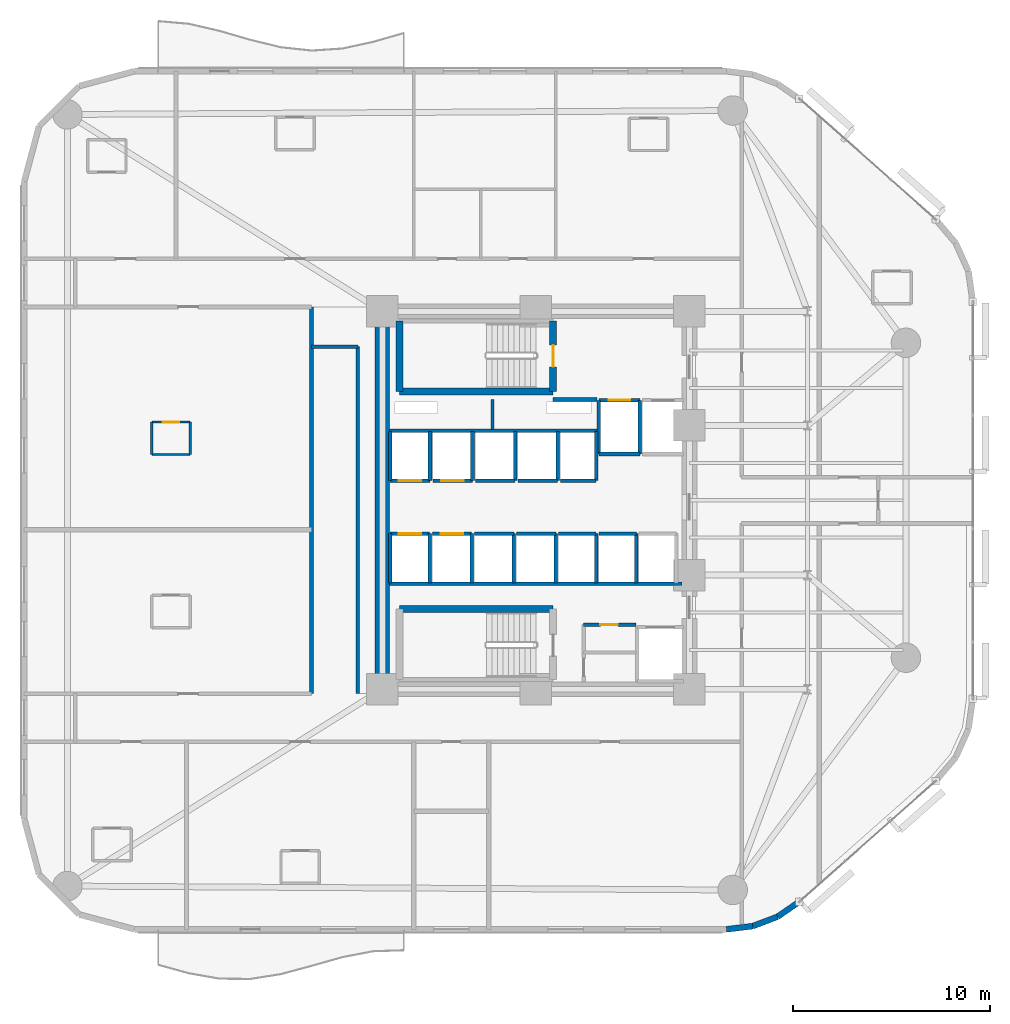
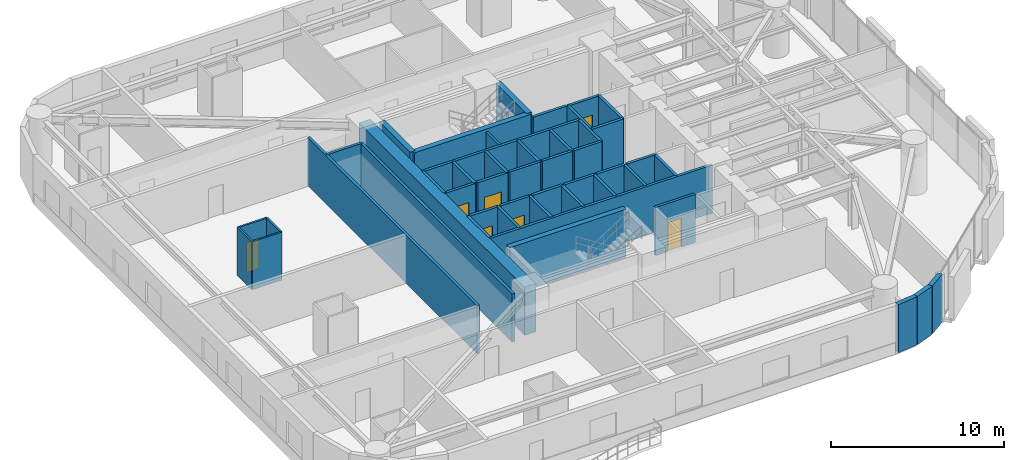
# One storey, part 11 of 17: 48 walls, 8 doors, 8 openings.
"""IFC4 building model written with IfcOpenShell, lengths in metres."""

from ifc_helpers import new_model, si_unit, direction, frame, frame_2d, origin, place, context, subcontext, project, spatial, rectangle, extrude, material, layer, layer_set, type_object, element, fill, save


model = new_model("IFC4")

# Units and contexts
model_context = context("Model", 3, precision=1e-05, world=origin(), true_north=direction((0.0, 1.0)))
body_context = subcontext(model_context, "Body", "Model", "MODEL_VIEW")
ifc_project = project(units=[si_unit("LENGTHUNIT", "METRE"), si_unit("AREAUNIT", "SQUARE_METRE"), si_unit("VOLUMEUNIT", "CUBIC_METRE"), si_unit("PLANEANGLEUNIT", "RADIAN"), si_unit("MASSUNIT", "GRAM", prefix="KILO")], contexts=[model_context])

# Site, building, storey
site_placement = place(None, origin())
site = spatial("IfcSite", under=ifc_project, at=site_placement, CompositionType="ELEMENT")
building_placement = place(site_placement, origin())
building = spatial("IfcBuilding", under=site, at=building_placement, Name="An Khanh Terracotta Commons", CompositionType="ELEMENT")
storey_placement = place(building_placement, frame((0.0, 0.0, 32.39990234375)))
storey = spatial("IfcBuildingStorey", under=building, at=storey_placement, Name="L08", CompositionType="ELEMENT", Elevation=32.39990234375)

# Walls
ifc_material_1 = material(Name="Concrete C70/85", Category="concrete")
ifc_layer_1 = layer(ifc_material_1, 0.75, Name="Concrete C70/85")
ifc_layer_set_1 = layer_set([ifc_layer_1], Name="Concrete C70/85")
wall_type_1 = type_object("IfcWallType", Name="WALL-CORE-750", PredefinedType="SHEAR", material=ifc_layer_set_1)
wall_1_placement = place(storey_placement, frame((21.60009765625, 14.39990234375, 0.0), z_axis=(0.0, 0.0, 1.0), x_axis=(0.0, 1.0, 0.0)))
element("IfcWall", 1, at=wall_1_placement, inside=storey, type_object=wall_type_1, Name="L08 Core Wall CWALL-L08-W", PredefinedType="SHEAR", context=body_context, shape_type="SweptSolid", body=[
    extrude(rectangle(XDim=19.2001953125, YDim=0.75, at=frame_2d((9.60009765625, 0.0))), origin(), (0.0, 0.0, 1.0), 3.400146484375),
])
ifc_material_2 = material(Name="Fire-Rated Gypsum Board on Steel Stud", Category="steel")
ifc_layer_2 = layer(ifc_material_2, 0.179931640625, Name="Fire-Rated Gypsum Board on Steel Stud")
ifc_layer_set_2 = layer_set([ifc_layer_2], Name="Fire-Rated Gypsum Board on Steel Stud")
wall_type_2 = type_object("IfcWallType", Name="WALL-CORR-180", PredefinedType="PARTITIONING", material=ifc_layer_set_2)
wall_2_placement = place(storey_placement, frame((30.27001953125, 29.1201171875, 0.0), z_axis=(0.0, 0.0, 1.0), x_axis=(1.0, 0.0, 0.0)))
element("IfcWall", 2, at=wall_2_placement, inside=storey, type_object=wall_type_2, Name="L08 Core Wall FFLW-L08-S", PredefinedType="PARTITIONING", context=body_context, shape_type="SweptSolid", body=[
    extrude(rectangle(XDim=2.239990234375, YDim=0.179931640625, at=frame_2d((1.1201171875, 0.0))), origin(), (0.0, 0.0, 1.0), 3.400146484375),
])
wall_3_placement = place(storey_placement, frame((21.949951171875, 27.5400390625, 0.0), z_axis=(0.0, 0.0, 1.0), x_axis=(1.0, 0.0, 0.0)))
element("IfcWall", 3, at=wall_3_placement, inside=storey, type_object=wall_type_2, Name="L08 Core Wall RSRW-L08-S", PredefinedType="PARTITIONING", context=body_context, shape_type="SweptSolid", body=[
    extrude(rectangle(XDim=10.56005859375, YDim=0.179931640625, at=frame_2d((5.280029296875, 0.0))), origin(), (0.0, 0.0, 1.0), 3.400146484375),
])
wall_4_placement = place(storey_placement, frame((21.949951171875, 19.760009765625, 0.0), z_axis=(0.0, 0.0, 1.0), x_axis=(1.0, 0.0, 0.0)))
element("IfcWall", 4, at=wall_4_placement, inside=storey, type_object=wall_type_2, Name="L08 Core Wall SVW-L08-N", PredefinedType="PARTITIONING", context=body_context, shape_type="SweptSolid", body=[
    extrude(rectangle(XDim=14.8701171875, YDim=0.179931640625, at=frame_2d((7.43505859375, 0.0))), origin(), (0.0, 0.0, 1.0), 3.400146484375),
])

# Wall, opening, door
wall_5_placement = place(storey_placement, frame((31.820068359375, 17.679931640625, 0.0), z_axis=(0.0, 0.0, 1.0), x_axis=(1.0, 0.0, 0.0)))
wall_5 = element("IfcWall", 5, at=wall_5_placement, inside=storey, type_object=wall_type_2, Name="L08 Core Wall SSVCW-L08-N", PredefinedType="PARTITIONING", context=body_context, shape_type="SweptSolid", body=[
    extrude(rectangle(XDim=2.659912109375, YDim=0.179931640625, at=frame_2d((1.330078125, 0.0))), origin(), (0.0, 0.0, 1.0), 3.400146484375),
])
opening_1_placement = place(wall_5_placement, frame((0.85009765625, 0.0, 0.0)))
opening_1 = element("IfcOpeningElement", 6, at=opening_1_placement, cuts=wall_5, Name="Opening D-SV", PredefinedType="OPENING", context=body_context, shape_type="SweptSolid", body=[
    extrude(rectangle(XDim=0.89990234375, YDim=2.050048828125, at=frame_2d((0.449951171875, 1.02490234375))), frame((0.0, 0.099853515625, 0.0), z_axis=(0.0, -1.0, 0.0), x_axis=(1.0, 0.0, 0.0)), (0.0, 0.0, 1.0), 0.199951171875),
])
ifc_material_3 = material(Name="Fire-Rated Powder-Coated Steel Door", Category="steel")
door_type_1 = type_object("IfcDoorType", Name="DOOR-SERV-900", OperationType="NOTDEFINED", PredefinedType="DOOR", material=ifc_material_3)
door_1_placement = place(opening_1_placement, origin())
door_1 = element("IfcDoor", 7, at=door_1_placement, inside=storey, type_object=door_type_1, Name="L08 Core Cleaner Store Door", OperationType="SINGLE_SWING_LEFT", OverallHeight=2.050048828125, OverallWidth=0.89990234375, PredefinedType="DOOR", context=body_context, shape_type="SweptSolid", body=[
    extrude(rectangle(XDim=0.89990234375, YDim=2.050048828125, at=frame_2d((0.449951171875, 1.02490234375))), frame((0.0, 0.02490234375, 0.0), z_axis=(0.0, -1.0, 0.0), x_axis=(1.0, 0.0, 0.0)), (0.0, 0.0, 1.0), 0.050048828125),
])
fill(opening_1, door_1)

wall_6_placement = place(storey_placement, frame((32.60009765625, 29.080078125, 0.0), z_axis=(0.0, 0.0, 1.0), x_axis=(1.0, 0.0, 0.0)))
wall_6 = element("IfcWall", 8, at=wall_6_placement, inside=storey, type_object=wall_type_2, Name="L08 Core Wall LSH-L08-FFL-01-N", PredefinedType="PARTITIONING", context=body_context, shape_type="SweptSolid", body=[
    extrude(rectangle(XDim=2.079833984375, YDim=0.179931640625, at=frame_2d((1.0400390625, 0.0))), origin(), (0.0, 0.0, 1.0), 3.400146484375),
])
opening_2_placement = place(wall_6_placement, frame((0.489990234375, 0.0, 0.0)))
opening_2 = element("IfcOpeningElement", 9, at=opening_2_placement, cuts=wall_6, Name="Opening LD-FFL-01-L08", PredefinedType="OPENING", context=body_context, shape_type="SweptSolid", body=[
    extrude(rectangle(XDim=1.10009765625, YDim=2.199951171875, at=frame_2d((0.550048828125, 1.10009765625))), frame((0.0, 0.099853515625, 0.0), z_axis=(0.0, -1.0, 0.0), x_axis=(1.0, 0.0, 0.0)), (0.0, 0.0, 1.0), 0.199951171875),
])
ifc_material_4 = material(Name="Brushed Stainless Steel Fire Landing Door", Category="steel")
door_type_2 = type_object("IfcDoorType", Name="DOOR-LD-FFL-1100", OperationType="NOTDEFINED", PredefinedType="DOOR", material=ifc_material_4)
door_2_placement = place(opening_2_placement, origin())
door_2 = element("IfcDoor", 10, at=door_2_placement, inside=storey, type_object=door_type_2, Name="L08 Lift FFL-01 Sliding Landing Door", OperationType="DOUBLE_DOOR_SLIDING", OverallHeight=2.199951171875, OverallWidth=1.10009765625, PredefinedType="DOOR", context=body_context, shape_type="SweptSolid", body=[
    extrude(rectangle(XDim=1.10009765625, YDim=2.199951171875, at=frame_2d((0.550048828125, 1.10009765625))), frame((0.0, 0.02490234375, 0.0), z_axis=(0.0, -1.0, 0.0), x_axis=(1.0, 0.0, 0.0)), (0.0, 0.0, 1.0), 0.050048828125),
])
fill(opening_2, door_2)

# Walls
wall_7_placement = place(storey_placement, frame((34.679931640625, 26.35009765625, 0.0), z_axis=(0.0, 0.0, 1.0), x_axis=(-1.0, 0.0, 0.0)))
element("IfcWall", 11, at=wall_7_placement, inside=storey, type_object=wall_type_2, Name="L08 Core Wall LSH-L08-FFL-01-S", PredefinedType="PARTITIONING", context=body_context, shape_type="SweptSolid", body=[
    extrude(rectangle(XDim=2.079833984375, YDim=0.179931640625, at=frame_2d((1.0400390625, 0.0))), origin(), (0.0, 0.0, 1.0), 3.400146484375),
])
for number, where, z_axis, x_axis, name in (
    (12, (34.679931640625, 26.35009765625, 0.0), (0.0, 0.0, 1.0), (0.0, 1.0, 0.0), "L08 Core Wall LSH-L08-FFL-01-E"),
    (13, (32.60009765625, 29.080078125, 0.0), (0.0, 0.0, 1.0), (0.0, -1.0, 0.0), "L08 Core Wall LSH-L08-FFL-01-W"),
):
    element("IfcWall", number, at=place(storey_placement, frame(where, z_axis=z_axis, x_axis=x_axis)), inside=storey, type_object=wall_type_2, Name=name, PredefinedType="PARTITIONING", context=body_context, shape_type="SweptSolid", body=[
        extrude(rectangle(XDim=2.72998046875, YDim=0.179931640625, at=frame_2d((1.364990234375, 0.0))), origin(), (0.0, 0.0, 1.0), 3.400146484375),
    ])

# Wall, opening, door
wall_8_placement = place(storey_placement, frame((24.02001953125, 25.0, 0.0), z_axis=(0.0, 0.0, 1.0), x_axis=(-1.0, 0.0, 0.0)))
wall_8 = element("IfcWall", 14, at=wall_8_placement, inside=storey, type_object=wall_type_2, Name="L08 Core Wall LSH-L08-PL-L1-S", PredefinedType="PARTITIONING", context=body_context, shape_type="SweptSolid", body=[
    extrude(rectangle(XDim=2.02001953125, YDim=0.179931640625, at=frame_2d((1.010009765625, 0.0))), origin(), (0.0, 0.0, 1.0), 3.400146484375),
])
opening_3_placement = place(wall_8_placement, frame((0.43505859375, 0.0, 0.0)))
opening_3 = element("IfcOpeningElement", 15, at=opening_3_placement, cuts=wall_8, Name="Opening LD-PL-L1-L08", PredefinedType="OPENING", context=body_context, shape_type="SweptSolid", body=[
    extrude(rectangle(XDim=1.14990234375, YDim=2.199951171875, at=frame_2d((0.574951171875, 1.10009765625))), frame((0.0, 0.099853515625, 0.0), z_axis=(0.0, -1.0, 0.0), x_axis=(1.0, 0.0, 0.0)), (0.0, 0.0, 1.0), 0.199951171875),
])
ifc_material_5 = material(Name="Brushed Stainless Steel Passenger Landing Door", Category="steel")
door_type_3 = type_object("IfcDoorType", Name="DOOR-LD-PAX-1150", OperationType="NOTDEFINED", PredefinedType="DOOR", material=ifc_material_5)
door_3_placement = place(opening_3_placement, origin())
door_3 = element("IfcDoor", 16, at=door_3_placement, inside=storey, type_object=door_type_3, Name="L08 Lift PL-L1 Sliding Landing Door", OperationType="DOUBLE_DOOR_SLIDING", OverallHeight=2.199951171875, OverallWidth=1.14990234375, PredefinedType="DOOR", context=body_context, shape_type="SweptSolid", body=[
    extrude(rectangle(XDim=1.14990234375, YDim=2.199951171875, at=frame_2d((0.574951171875, 1.10009765625))), frame((0.0, 0.02490234375, 0.0), z_axis=(0.0, -1.0, 0.0), x_axis=(1.0, 0.0, 0.0)), (0.0, 0.0, 1.0), 0.050048828125),
])
fill(opening_3, door_3)

# Walls
for number, where, z_axis, x_axis, name in (
    (17, (24.02001953125, 25.0, 0.0), (0.0, 0.0, 1.0), (0.0, 1.0, 0.0), "L08 Core Wall LSH-L08-PL-L1-E"),
    (18, (22.0, 27.5, 0.0), (0.0, 0.0, 1.0), (0.0, -1.0, 0.0), "L08 Core Wall LSH-L08-PL-L1-W"),
):
    element("IfcWall", number, at=place(storey_placement, frame(where, z_axis=z_axis, x_axis=x_axis)), inside=storey, type_object=wall_type_2, Name=name, PredefinedType="PARTITIONING", context=body_context, shape_type="SweptSolid", body=[
        extrude(rectangle(XDim=2.5, YDim=0.179931640625, at=frame_2d((1.25, 0.0))), origin(), (0.0, 0.0, 1.0), 3.400146484375),
    ])

# Wall, opening, door
wall_9_placement = place(storey_placement, frame((26.179931640625, 25.0, 0.0), z_axis=(0.0, 0.0, 1.0), x_axis=(-1.0, 0.0, 0.0)))
wall_9 = element("IfcWall", 19, at=wall_9_placement, inside=storey, type_object=wall_type_2, Name="L08 Core Wall LSH-L08-PL-L2-S", PredefinedType="PARTITIONING", context=body_context, shape_type="SweptSolid", body=[
    extrude(rectangle(XDim=2.02001953125, YDim=0.179931640625, at=frame_2d((1.010009765625, 0.0))), origin(), (0.0, 0.0, 1.0), 3.400146484375),
])
opening_4_placement = place(wall_9_placement, frame((0.43505859375, 0.0, 0.0)))
opening_4 = element("IfcOpeningElement", 20, at=opening_4_placement, cuts=wall_9, Name="Opening LD-PL-L2-L08", PredefinedType="OPENING", context=body_context, shape_type="SweptSolid", body=[
    extrude(rectangle(XDim=1.14990234375, YDim=2.199951171875, at=frame_2d((0.574951171875, 1.10009765625))), frame((0.0, 0.099853515625, 0.0), z_axis=(0.0, -1.0, 0.0), x_axis=(1.0, 0.0, 0.0)), (0.0, 0.0, 1.0), 0.199951171875),
])
door_4_placement = place(opening_4_placement, origin())
door_4 = element("IfcDoor", 21, at=door_4_placement, inside=storey, type_object=door_type_3, Name="L08 Lift PL-L2 Sliding Landing Door", OperationType="DOUBLE_DOOR_SLIDING", OverallHeight=2.199951171875, OverallWidth=1.14990234375, PredefinedType="DOOR", context=body_context, shape_type="SweptSolid", body=[
    extrude(rectangle(XDim=1.14990234375, YDim=2.199951171875, at=frame_2d((0.574951171875, 1.10009765625))), frame((0.0, 0.02490234375, 0.0), z_axis=(0.0, -1.0, 0.0), x_axis=(1.0, 0.0, 0.0)), (0.0, 0.0, 1.0), 0.050048828125),
])
fill(opening_4, door_4)

# Wall
wall_10_placement = place(storey_placement, frame((26.179931640625, 25.0, 0.0), z_axis=(0.0, 0.0, 1.0), x_axis=(0.0, 1.0, 0.0)))
element("IfcWall", 22, at=wall_10_placement, inside=storey, type_object=wall_type_2, Name="L08 Core Wall LSH-L08-PL-L2-E", PredefinedType="PARTITIONING", context=body_context, shape_type="SweptSolid", body=[
    extrude(rectangle(XDim=2.5, YDim=0.179931640625, at=frame_2d((1.25, 0.0))), origin(), (0.0, 0.0, 1.0), 3.400146484375),
])

# Wall, opening, door
wall_11_placement = place(storey_placement, frame((22.0, 22.300048828125, 0.0), z_axis=(0.0, 0.0, 1.0), x_axis=(1.0, 0.0, 0.0)))
wall_11 = element("IfcWall", 23, at=wall_11_placement, inside=storey, type_object=wall_type_2, Name="L08 Core Wall LSH-L08-PL-L3-N", PredefinedType="PARTITIONING", context=body_context, shape_type="SweptSolid", body=[
    extrude(rectangle(XDim=2.0, YDim=0.179931640625, at=frame_2d((1.0, 0.0))), origin(), (0.0, 0.0, 1.0), 3.400146484375),
])
opening_5_placement = place(wall_11_placement, frame((0.425048828125, 0.0, 0.0)))
opening_5 = element("IfcOpeningElement", 24, at=opening_5_placement, cuts=wall_11, Name="Opening LD-PL-L3-L08", PredefinedType="OPENING", context=body_context, shape_type="SweptSolid", body=[
    extrude(rectangle(XDim=1.14990234375, YDim=2.199951171875, at=frame_2d((0.574951171875, 1.10009765625))), frame((0.0, 0.099853515625, 0.0), z_axis=(0.0, -1.0, 0.0), x_axis=(1.0, 0.0, 0.0)), (0.0, 0.0, 1.0), 0.199951171875),
])
door_5_placement = place(opening_5_placement, origin())
door_5 = element("IfcDoor", 25, at=door_5_placement, inside=storey, type_object=door_type_3, Name="L08 Lift PL-L3 Sliding Landing Door", OperationType="DOUBLE_DOOR_SLIDING", OverallHeight=2.199951171875, OverallWidth=1.14990234375, PredefinedType="DOOR", context=body_context, shape_type="SweptSolid", body=[
    extrude(rectangle(XDim=1.14990234375, YDim=2.199951171875, at=frame_2d((0.574951171875, 1.10009765625))), frame((0.0, 0.02490234375, 0.0), z_axis=(0.0, -1.0, 0.0), x_axis=(1.0, 0.0, 0.0)), (0.0, 0.0, 1.0), 0.050048828125),
])
fill(opening_5, door_5)

# Walls
for number, where, z_axis, x_axis, name in (
    (26, (24.0, 19.800048828125, 0.0), (0.0, 0.0, 1.0), (0.0, 1.0, 0.0), "L08 Core Wall LSH-L08-PL-L3-E"),
    (27, (22.0, 22.300048828125, 0.0), (0.0, 0.0, 1.0), (0.0, -1.0, 0.0), "L08 Core Wall LSH-L08-PL-L3-W"),
):
    element("IfcWall", number, at=place(storey_placement, frame(where, z_axis=z_axis, x_axis=x_axis)), inside=storey, type_object=wall_type_2, Name=name, PredefinedType="PARTITIONING", context=body_context, shape_type="SweptSolid", body=[
        extrude(rectangle(XDim=2.5, YDim=0.179931640625, at=frame_2d((1.25, 0.0))), origin(), (0.0, 0.0, 1.0), 3.400146484375),
    ])

# Wall, opening, door
wall_12_placement = place(storey_placement, frame((24.139892578125, 22.300048828125, 0.0), z_axis=(0.0, 0.0, 1.0), x_axis=(1.0, 0.0, 0.0)))
wall_12 = element("IfcWall", 28, at=wall_12_placement, inside=storey, type_object=wall_type_2, Name="L08 Core Wall LSH-L08-PL-L4-N", PredefinedType="PARTITIONING", context=body_context, shape_type="SweptSolid", body=[
    extrude(rectangle(XDim=2.0, YDim=0.179931640625, at=frame_2d((1.0, 0.0))), origin(), (0.0, 0.0, 1.0), 3.400146484375),
])
opening_6_placement = place(wall_12_placement, frame((0.425048828125, 0.0, 0.0)))
opening_6 = element("IfcOpeningElement", 29, at=opening_6_placement, cuts=wall_12, Name="Opening LD-PL-L4-L08", PredefinedType="OPENING", context=body_context, shape_type="SweptSolid", body=[
    extrude(rectangle(XDim=1.14990234375, YDim=2.199951171875, at=frame_2d((0.574951171875, 1.10009765625))), frame((0.0, 0.099853515625, 0.0), z_axis=(0.0, -1.0, 0.0), x_axis=(1.0, 0.0, 0.0)), (0.0, 0.0, 1.0), 0.199951171875),
])
door_6_placement = place(opening_6_placement, origin())
door_6 = element("IfcDoor", 30, at=door_6_placement, inside=storey, type_object=door_type_3, Name="L08 Lift PL-L4 Sliding Landing Door", OperationType="DOUBLE_DOOR_SLIDING", OverallHeight=2.199951171875, OverallWidth=1.14990234375, PredefinedType="DOOR", context=body_context, shape_type="SweptSolid", body=[
    extrude(rectangle(XDim=1.14990234375, YDim=2.199951171875, at=frame_2d((0.574951171875, 1.10009765625))), frame((0.0, 0.02490234375, 0.0), z_axis=(0.0, -1.0, 0.0), x_axis=(1.0, 0.0, 0.0)), (0.0, 0.0, 1.0), 0.050048828125),
])
fill(opening_6, door_6)

# Walls
wall_13_placement = place(storey_placement, frame((26.139892578125, 19.800048828125, 0.0), z_axis=(0.0, 0.0, 1.0), x_axis=(0.0, 1.0, 0.0)))
element("IfcWall", 31, at=wall_13_placement, inside=storey, type_object=wall_type_2, Name="L08 Core Wall LSH-L08-PL-L4-E", PredefinedType="PARTITIONING", context=body_context, shape_type="SweptSolid", body=[
    extrude(rectangle(XDim=2.5, YDim=0.179931640625, at=frame_2d((1.25, 0.0))), origin(), (0.0, 0.0, 1.0), 3.400146484375),
])
wall_14_placement = place(storey_placement, frame((28.340087890625, 25.0, 0.0), z_axis=(0.0, 0.0, 1.0), x_axis=(-1.0, 0.0, 0.0)))
element("IfcWall", 32, at=wall_14_placement, inside=storey, type_object=wall_type_2, Name="L08 Core Wall LSH-L08-PL-M1-S", PredefinedType="PARTITIONING", context=body_context, shape_type="SweptSolid", body=[
    extrude(rectangle(XDim=2.02001953125, YDim=0.179931640625, at=frame_2d((1.010009765625, 0.0))), origin(), (0.0, 0.0, 1.0), 3.400146484375),
])
wall_15_placement = place(storey_placement, frame((28.340087890625, 25.0, 0.0), z_axis=(0.0, 0.0, 1.0), x_axis=(0.0, 1.0, 0.0)))
element("IfcWall", 33, at=wall_15_placement, inside=storey, type_object=wall_type_2, Name="L08 Core Wall LSH-L08-PL-M1-E", PredefinedType="PARTITIONING", context=body_context, shape_type="SweptSolid", body=[
    extrude(rectangle(XDim=2.5, YDim=0.179931640625, at=frame_2d((1.25, 0.0))), origin(), (0.0, 0.0, 1.0), 3.400146484375),
])
wall_16_placement = place(storey_placement, frame((30.5, 25.0, 0.0), z_axis=(0.0, 0.0, 1.0), x_axis=(-1.0, 0.0, 0.0)))
element("IfcWall", 34, at=wall_16_placement, inside=storey, type_object=wall_type_2, Name="L08 Core Wall LSH-L08-PL-M2-S", PredefinedType="PARTITIONING", context=body_context, shape_type="SweptSolid", body=[
    extrude(rectangle(XDim=2.02001953125, YDim=0.179931640625, at=frame_2d((1.010009765625, 0.0))), origin(), (0.0, 0.0, 1.0), 3.400146484375),
])
wall_17_placement = place(storey_placement, frame((30.5, 25.0, 0.0), z_axis=(0.0, 0.0, 1.0), x_axis=(0.0, 1.0, 0.0)))
element("IfcWall", 35, at=wall_17_placement, inside=storey, type_object=wall_type_2, Name="L08 Core Wall LSH-L08-PL-M2-E", PredefinedType="PARTITIONING", context=body_context, shape_type="SweptSolid", body=[
    extrude(rectangle(XDim=2.5, YDim=0.179931640625, at=frame_2d((1.25, 0.0))), origin(), (0.0, 0.0, 1.0), 3.400146484375),
])
wall_18_placement = place(storey_placement, frame((26.280029296875, 22.300048828125, 0.0), z_axis=(0.0, 0.0, 1.0), x_axis=(1.0, 0.0, 0.0)))
element("IfcWall", 36, at=wall_18_placement, inside=storey, type_object=wall_type_2, Name="L08 Core Wall LSH-L08-PL-M3-N", PredefinedType="PARTITIONING", context=body_context, shape_type="SweptSolid", body=[
    extrude(rectangle(XDim=2.0, YDim=0.179931640625, at=frame_2d((1.0, 0.0))), origin(), (0.0, 0.0, 1.0), 3.400146484375),
])
wall_19_placement = place(storey_placement, frame((28.280029296875, 19.800048828125, 0.0), z_axis=(0.0, 0.0, 1.0), x_axis=(0.0, 1.0, 0.0)))
element("IfcWall", 37, at=wall_19_placement, inside=storey, type_object=wall_type_2, Name="L08 Core Wall LSH-L08-PL-M3-E", PredefinedType="PARTITIONING", context=body_context, shape_type="SweptSolid", body=[
    extrude(rectangle(XDim=2.5, YDim=0.179931640625, at=frame_2d((1.25, 0.0))), origin(), (0.0, 0.0, 1.0), 3.400146484375),
])
wall_20_placement = place(storey_placement, frame((28.419921875, 22.300048828125, 0.0), z_axis=(0.0, 0.0, 1.0), x_axis=(1.0, 0.0, 0.0)))
element("IfcWall", 38, at=wall_20_placement, inside=storey, type_object=wall_type_2, Name="L08 Core Wall LSH-L08-PL-M4-N", PredefinedType="PARTITIONING", context=body_context, shape_type="SweptSolid", body=[
    extrude(rectangle(XDim=2.0, YDim=0.179931640625, at=frame_2d((1.0, 0.0))), origin(), (0.0, 0.0, 1.0), 3.400146484375),
])
wall_21_placement = place(storey_placement, frame((30.419921875, 19.800048828125, 0.0), z_axis=(0.0, 0.0, 1.0), x_axis=(0.0, 1.0, 0.0)))
element("IfcWall", 39, at=wall_21_placement, inside=storey, type_object=wall_type_2, Name="L08 Core Wall LSH-L08-PL-M4-E", PredefinedType="PARTITIONING", context=body_context, shape_type="SweptSolid", body=[
    extrude(rectangle(XDim=2.5, YDim=0.179931640625, at=frame_2d((1.25, 0.0))), origin(), (0.0, 0.0, 1.0), 3.400146484375),
])
wall_22_placement = place(storey_placement, frame((32.4599609375, 25.0, 0.0), z_axis=(0.0, 0.0, 1.0), x_axis=(-1.0, 0.0, 0.0)))
element("IfcWall", 40, at=wall_22_placement, inside=storey, type_object=wall_type_2, Name="L08 Core Wall LSH-L08-PL-H1-S", PredefinedType="PARTITIONING", context=body_context, shape_type="SweptSolid", body=[
    extrude(rectangle(XDim=1.820068359375, YDim=0.179931640625, at=frame_2d((0.91015625, 0.0))), origin(), (0.0, 0.0, 1.0), 3.400146484375),
])
wall_23_placement = place(storey_placement, frame((32.4599609375, 25.0, 0.0), z_axis=(0.0, 0.0, 1.0), x_axis=(0.0, 1.0, 0.0)))
element("IfcWall", 41, at=wall_23_placement, inside=storey, type_object=wall_type_2, Name="L08 Core Wall LSH-L08-PL-H1-E", PredefinedType="PARTITIONING", context=body_context, shape_type="SweptSolid", body=[
    extrude(rectangle(XDim=2.5, YDim=0.179931640625, at=frame_2d((1.25, 0.0))), origin(), (0.0, 0.0, 1.0), 3.400146484375),
])
wall_24_placement = place(storey_placement, frame((30.56005859375, 22.300048828125, 0.0), z_axis=(0.0, 0.0, 1.0), x_axis=(1.0, 0.0, 0.0)))
element("IfcWall", 42, at=wall_24_placement, inside=storey, type_object=wall_type_2, Name="L08 Core Wall LSH-L08-PL-H2-N", PredefinedType="PARTITIONING", context=body_context, shape_type="SweptSolid", body=[
    extrude(rectangle(XDim=1.89990234375, YDim=0.179931640625, at=frame_2d((0.949951171875, 0.0))), origin(), (0.0, 0.0, 1.0), 3.400146484375),
])
wall_25_placement = place(storey_placement, frame((32.4599609375, 19.800048828125, 0.0), z_axis=(0.0, 0.0, 1.0), x_axis=(0.0, 1.0, 0.0)))
element("IfcWall", 43, at=wall_25_placement, inside=storey, type_object=wall_type_2, Name="L08 Core Wall LSH-L08-PL-H2-E", PredefinedType="PARTITIONING", context=body_context, shape_type="SweptSolid", body=[
    extrude(rectangle(XDim=2.5, YDim=0.179931640625, at=frame_2d((1.25, 0.0))), origin(), (0.0, 0.0, 1.0), 3.400146484375),
])
wall_26_placement = place(storey_placement, frame((32.60009765625, 22.300048828125, 0.0), z_axis=(0.0, 0.0, 1.0), x_axis=(1.0, 0.0, 0.0)))
element("IfcWall", 44, at=wall_26_placement, inside=storey, type_object=wall_type_2, Name="L08 Core Wall LSH-L08-PL-H3-N", PredefinedType="PARTITIONING", context=body_context, shape_type="SweptSolid", body=[
    extrude(rectangle(XDim=1.89990234375, YDim=0.179931640625, at=frame_2d((0.949951171875, 0.0))), origin(), (0.0, 0.0, 1.0), 3.400146484375),
])
wall_27_placement = place(storey_placement, frame((34.5, 19.800048828125, 0.0), z_axis=(0.0, 0.0, 1.0), x_axis=(0.0, 1.0, 0.0)))
element("IfcWall", 45, at=wall_27_placement, inside=storey, type_object=wall_type_2, Name="L08 Core Wall LSH-L08-PL-H3-E", PredefinedType="PARTITIONING", context=body_context, shape_type="SweptSolid", body=[
    extrude(rectangle(XDim=2.5, YDim=0.179931640625, at=frame_2d((1.25, 0.0))), origin(), (0.0, 0.0, 1.0), 3.400146484375),
])
wall_28_placement = place(storey_placement, frame((18.0, 31.800048828125, 0.0), z_axis=(0.0, 0.0, 1.0), x_axis=(1.0, 0.0, 0.0)))
element("IfcWall", 46, at=wall_28_placement, inside=storey, type_object=wall_type_2, Name="L08 Interior Partition IW-L08-E007", PredefinedType="PARTITIONING", context=body_context, shape_type="SweptSolid", body=[
    extrude(rectangle(XDim=2.35009765625, YDim=0.179931640625, at=frame_2d((1.175048828125, 0.0))), origin(), (0.0, 0.0, 1.0), 3.400146484375),
])
wall_29_placement = place(storey_placement, frame((18.0, 14.179931640625, 0.0), z_axis=(0.0, 0.0, 1.0), x_axis=(0.0, 1.0, 0.0)))
element("IfcWall", 47, at=wall_29_placement, inside=storey, type_object=wall_type_2, Name="L08 Interior Partition IW-L08-E015", PredefinedType="PARTITIONING", context=body_context, shape_type="SweptSolid", body=[
    extrude(rectangle(XDim=19.64013671875, YDim=0.179931640625, at=frame_2d((9.820068359375, 0.0))), origin(), (0.0, 0.0, 1.0), 3.400146484375),
])
wall_30_placement = place(storey_placement, frame((20.35009765625, 14.179931640625, 0.0), z_axis=(0.0, 0.0, 1.0), x_axis=(0.0, 1.0, 0.0)))
element("IfcWall", 48, at=wall_30_placement, inside=storey, type_object=wall_type_2, Name="L08 Interior Partition IW-L08-E016", PredefinedType="PARTITIONING", context=body_context, shape_type="SweptSolid", body=[
    extrude(rectangle(XDim=17.6201171875, YDim=0.179931640625, at=frame_2d((8.81005859375, 0.0))), origin(), (0.0, 0.0, 1.0), 3.400146484375),
])
ifc_material_6 = material(Name="Precast concrete C40/50", Category="concrete")
ifc_layer_3 = layer(ifc_material_6, 0.300048828125, Name="Precast concrete C40/50")
ifc_layer_set_3 = layer_set([ifc_layer_3], Name="Precast concrete C40/50")
wall_type_3 = type_object("IfcWallType", Name="WALL-EXT-300", PredefinedType="SOLIDWALL", material=ifc_layer_set_3)
wall_31_placement = place(storey_placement, frame((39.0791015625, 2.199951171875, 0.0), z_axis=(0.0, 0.0, 1.0), x_axis=(0.992739027259, 0.120288086515, 0.0)))
element("IfcWall", 49, at=wall_31_placement, inside=storey, type_object=wall_type_3, Name="L08 Insulated Terracotta Exterior Wall 5", PredefinedType="SOLIDWALL", context=body_context, shape_type="SweptSolid", body=[
    extrude(rectangle(XDim=1.34765625, YDim=0.300048828125, at=frame_2d((0.673828125, 0.0))), origin(), (0.0, 0.0, 1.0), 3.400146484375),
])
wall_32_placement = place(storey_placement, frame((40.4169921875, 2.362060546875, 0.0), z_axis=(0.0, 0.0, 1.0), x_axis=(0.935156721165, 0.354234254216, 0.0)))
element("IfcWall", 50, at=wall_32_placement, inside=storey, type_object=wall_type_3, Name="L08 Insulated Terracotta Exterior Wall 6", PredefinedType="SOLIDWALL", context=body_context, shape_type="SweptSolid", body=[
    extrude(rectangle(XDim=1.349365234375, YDim=0.300048828125, at=frame_2d((0.6748046875, 0.0))), origin(), (0.0, 0.0, 1.0), 3.400146484375),
])
wall_33_placement = place(storey_placement, frame((41.678955078125, 2.840087890625, 0.0), z_axis=(0.0, 0.0, 1.0), x_axis=(0.823116500192, 0.567872544777, 0.0)))
element("IfcWall", 51, at=wall_33_placement, inside=storey, type_object=wall_type_3, Name="L08 Insulated Terracotta Exterior Wall 7", PredefinedType="SOLIDWALL", context=body_context, shape_type="SweptSolid", body=[
    extrude(rectangle(XDim=1.3486328125, YDim=0.300048828125, at=frame_2d((0.67431640625, 0.0))), origin(), (0.0, 0.0, 1.0), 3.400146484375),
])
ifc_material_7 = material(Name="Acoustic Gypsum Board Partition")
ifc_layer_4 = layer(ifc_material_7, 0.14990234375, Name="Acoustic Gypsum Board Partition")
ifc_layer_set_4 = layer_set([ifc_layer_4], Name="Acoustic Gypsum Board Partition")
wall_type_4 = type_object("IfcWallType", Name="WALL-PART-150", PredefinedType="PARTITIONING", material=ifc_layer_set_4)
wall_34_placement = place(storey_placement, frame((27.199951171875, 27.60009765625, 0.0), z_axis=(0.0, 0.0, 1.0), x_axis=(0.0, 1.0, 0.0)))
element("IfcWall", 52, at=wall_34_placement, inside=storey, type_object=wall_type_4, Name="L08 Core Wall RSRW-L08-D1", PredefinedType="PARTITIONING", context=body_context, shape_type="SweptSolid", body=[
    extrude(rectangle(XDim=1.52001953125, YDim=0.14990234375, at=frame_2d((0.760009765625, 0.0))), origin(), (0.0, 0.0, 1.0), 3.400146484375),
])
ifc_material_8 = material(Name="Concrete C50/60", Category="concrete")
ifc_layer_5 = layer(ifc_material_8, 0.35009765625, Name="Concrete C50/60")
ifc_layer_set_5 = layer_set([ifc_layer_5], Name="Concrete C50/60")
wall_type_5 = type_object("IfcWallType", Name="WALL-SHAFT-350", PredefinedType="SOLIDWALL", material=ifc_layer_set_5)
wall_35_placement = place(storey_placement, frame((22.47998046875, 29.530029296875, 0.0), z_axis=(0.0, 0.0, 1.0), x_axis=(1.0, 0.0, 0.0)))
element("IfcWall", 53, at=wall_35_placement, inside=storey, type_object=wall_type_5, Name="L08 Core Wall STW-L08-N-S", PredefinedType="SOLIDWALL", context=body_context, shape_type="SweptSolid", body=[
    extrude(rectangle(XDim=7.7900390625, YDim=0.35009765625, at=frame_2d((3.89501953125, 0.0))), origin(), (0.0, 0.0, 1.0), 3.400146484375),
])
wall_36_placement = place(storey_placement, frame((22.47998046875, 29.530029296875, 0.0), z_axis=(0.0, 0.0, 1.0), x_axis=(0.0, 1.0, 0.0)))
element("IfcWall", 54, at=wall_36_placement, inside=storey, type_object=wall_type_5, Name="L08 Core Wall STW-L08-N-W", PredefinedType="SOLIDWALL", context=body_context, shape_type="SweptSolid", body=[
    extrude(rectangle(XDim=3.580078125, YDim=0.35009765625, at=frame_2d((1.7900390625, 0.0))), origin(), (0.0, 0.0, 1.0), 3.400146484375),
])

# Wall, opening, door
wall_37_placement = place(storey_placement, frame((30.27001953125, 29.530029296875, 0.0), z_axis=(0.0, 0.0, 1.0), x_axis=(0.0, 1.0, 0.0)))
wall_37 = element("IfcWall", 55, at=wall_37_placement, inside=storey, type_object=wall_type_5, Name="L08 Core Wall STW-L08-N-E", PredefinedType="SOLIDWALL", context=body_context, shape_type="SweptSolid", body=[
    extrude(rectangle(XDim=3.580078125, YDim=0.35009765625, at=frame_2d((1.7900390625, 0.0))), origin(), (0.0, 0.0, 1.0), 3.400146484375),
])
opening_7_placement = place(wall_37_placement, frame((1.25, 0.0, 0.0)))
opening_7 = element("IfcOpeningElement", 56, at=opening_7_placement, cuts=wall_37, Name="Opening D-ST", PredefinedType="OPENING", context=body_context, shape_type="SweptSolid", body=[
    extrude(rectangle(XDim=1.10009765625, YDim=2.14990234375, at=frame_2d((0.550048828125, 1.074951171875))), frame((0.0, 0.18505859375, 0.0), z_axis=(0.0, -1.0, 0.0), x_axis=(1.0, 0.0, 0.0)), (0.0, 0.0, 1.0), 0.3701171875),
])
ifc_material_9 = material(Name="Fire-Rated Steel Leaf and Frame", Category="steel")
door_type_4 = type_object("IfcDoorType", Name="DOOR-STAIR-1100", OperationType="NOTDEFINED", PredefinedType="DOOR", material=ifc_material_9)
door_7_placement = place(opening_7_placement, origin())
door_7 = element("IfcDoor", 57, at=door_7_placement, inside=storey, type_object=door_type_4, Name="L08 Stair ST-01 Fire Door", OperationType="SINGLE_SWING_LEFT", OverallHeight=2.14990234375, OverallWidth=1.10009765625, PredefinedType="DOOR", context=body_context, shape_type="SweptSolid", body=[
    extrude(rectangle(XDim=1.10009765625, YDim=2.14990234375, at=frame_2d((0.550048828125, 1.074951171875))), frame((0.0, 0.02490234375, 0.0), z_axis=(0.0, -1.0, 0.0), x_axis=(1.0, 0.0, 0.0)), (0.0, 0.0, 1.0), 0.050048828125),
])
fill(opening_7, door_7)

# Wall
wall_38_placement = place(storey_placement, frame((22.47998046875, 18.469970703125, 0.0), z_axis=(0.0, 0.0, 1.0), x_axis=(1.0, 0.0, 0.0)))
element("IfcWall", 58, at=wall_38_placement, inside=storey, type_object=wall_type_5, Name="L08 Core Wall STW-L08-S-N", PredefinedType="SOLIDWALL", context=body_context, shape_type="SweptSolid", body=[
    extrude(rectangle(XDim=7.7900390625, YDim=0.35009765625, at=frame_2d((3.89501953125, 0.0))), origin(), (0.0, 0.0, 1.0), 3.400146484375),
])

# Wall, opening, door
ifc_material_10 = material(Name="Moisture-Resistant Cement Board Partition")
ifc_layer_6 = layer(ifc_material_10, 0.1201171875, Name="Moisture-Resistant Cement Board Partition")
ifc_layer_set_6 = layer_set([ifc_layer_6], Name="Moisture-Resistant Cement Board Partition")
wall_type_6 = type_object("IfcWallType", Name="WALL-WET-120", PredefinedType="PARTITIONING", material=ifc_layer_set_6)
wall_39_placement = place(storey_placement, frame((9.885009765625, 27.97509765625, 0.0), z_axis=(0.0, 0.0, 1.0), x_axis=(1.0, 0.0, 0.0)))
wall_39 = element("IfcWall", 59, at=wall_39_placement, inside=storey, type_object=wall_type_6, Name="L08 Interior Partition IW-L08-WW2-BN", PredefinedType="PARTITIONING", context=body_context, shape_type="SweptSolid", body=[
    extrude(rectangle(XDim=1.949951171875, YDim=0.1201171875, at=frame_2d((0.97509765625, 0.0))), origin(), (0.0, 0.0, 1.0), 3.400146484375),
])
opening_8_placement = place(wall_39_placement, frame((0.544921875, 0.0, 0.0)))
opening_8 = element("IfcOpeningElement", 60, at=opening_8_placement, cuts=wall_39, Name="Opening D-ENS", PredefinedType="OPENING", context=body_context, shape_type="SweptSolid", body=[
    extrude(rectangle(XDim=0.860107421875, YDim=2.10009765625, at=frame_2d((0.43017578125, 1.050048828125))), frame((0.0, 0.070068359375, 0.0), z_axis=(0.0, -1.0, 0.0), x_axis=(1.0, 0.0, 0.0)), (0.0, 0.0, 1.0), 0.14013671875),
])
ifc_material_11 = material(Name="Moisture-Resistant Hardwood Timber Leaf", Category="wood")
door_type_5 = type_object("IfcDoorType", Name="DOOR-BATH-860", OperationType="NOTDEFINED", PredefinedType="DOOR", material=ifc_material_11)
door_8_placement = place(opening_8_placement, origin())
door_8 = element("IfcDoor", 61, at=door_8_placement, inside=storey, type_object=door_type_5, Name="L08 Studio WW2 En-suite Door", OperationType="SINGLE_SWING_RIGHT", OverallHeight=2.10009765625, OverallWidth=0.860107421875, PredefinedType="DOOR", context=body_context, shape_type="SweptSolid", body=[
    extrude(rectangle(XDim=0.860107421875, YDim=2.10009765625, at=frame_2d((0.43017578125, 1.050048828125))), frame((0.0, 0.02490234375, 0.0), z_axis=(0.0, -1.0, 0.0), x_axis=(1.0, 0.0, 0.0)), (0.0, 0.0, 1.0), 0.050048828125),
])
fill(opening_8, door_8)

# Walls
wall_40_placement = place(storey_placement, frame((11.8349609375, 26.324951171875, 0.0), z_axis=(0.0, 0.0, 1.0), x_axis=(-1.0, 0.0, 0.0)))
element("IfcWall", 62, at=wall_40_placement, inside=storey, type_object=wall_type_6, Name="L08 Interior Partition IW-L08-WW2-BS", PredefinedType="PARTITIONING", context=body_context, shape_type="SweptSolid", body=[
    extrude(rectangle(XDim=1.949951171875, YDim=0.1201171875, at=frame_2d((0.97509765625, 0.0))), origin(), (0.0, 0.0, 1.0), 3.400146484375),
])
for number, where, z_axis, x_axis, name in (
    (63, (9.885009765625, 27.97509765625, 0.0), (0.0, 0.0, 1.0), (0.0, -1.0, 0.0), "L08 Interior Partition IW-L08-WW2-BW"),
    (64, (11.8349609375, 26.324951171875, 0.0), (0.0, 0.0, 1.0), (0.0, 1.0, 0.0), "L08 Interior Partition IW-L08-WW2-BE"),
):
    element("IfcWall", number, at=place(storey_placement, frame(where, z_axis=z_axis, x_axis=x_axis)), inside=storey, type_object=wall_type_6, Name=name, PredefinedType="PARTITIONING", context=body_context, shape_type="SweptSolid", body=[
        extrude(rectangle(XDim=1.650146484375, YDim=0.1201171875, at=frame_2d((0.8251953125, 0.0))), origin(), (0.0, 0.0, 1.0), 3.400146484375),
    ])

save(model, "model.ifc")
